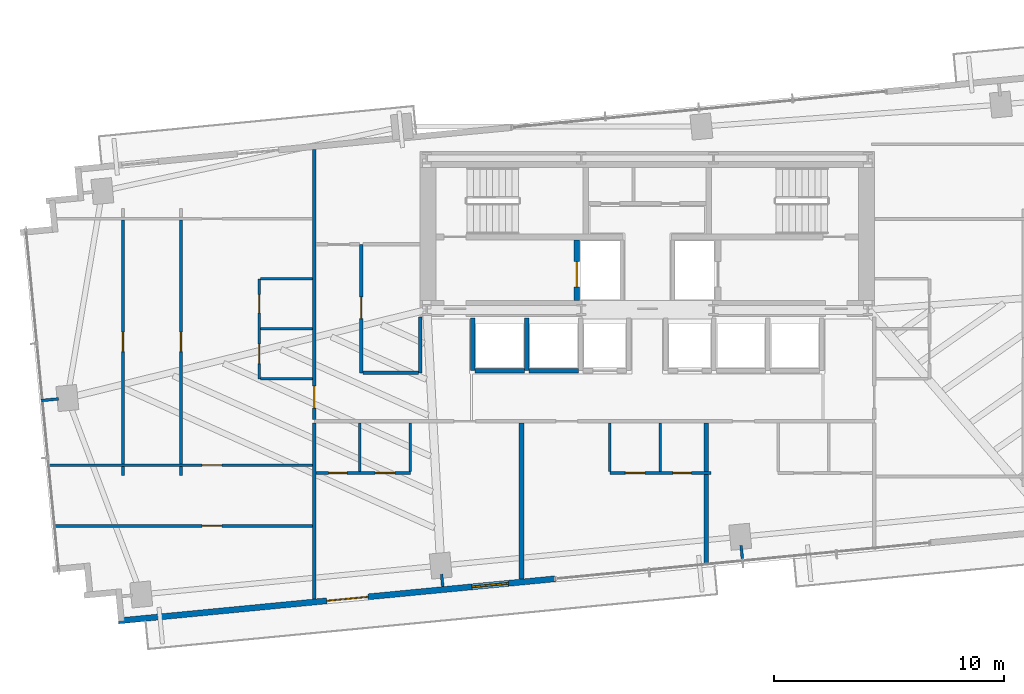
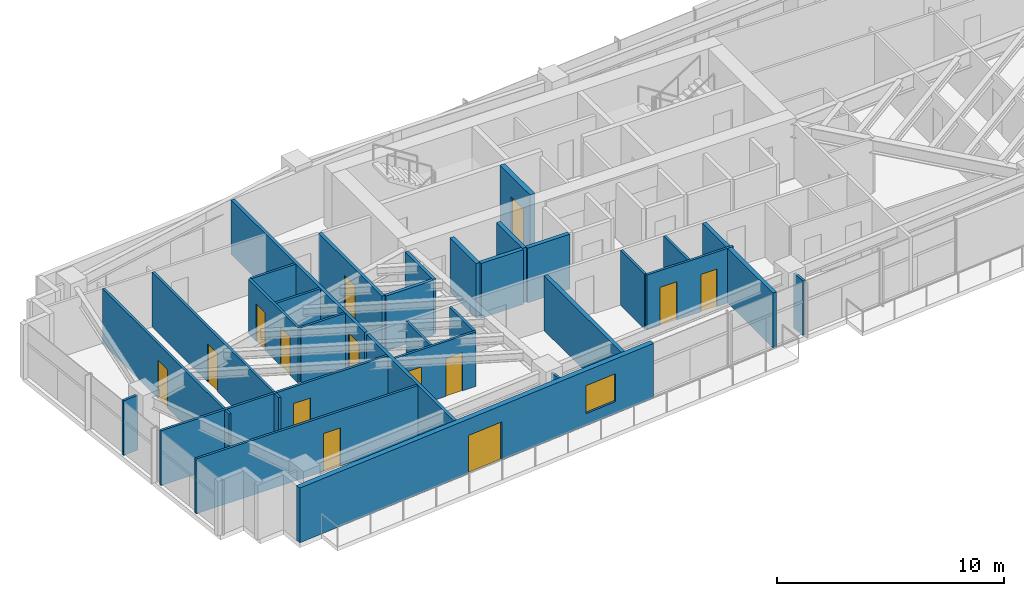
# One storey, part 19 of 25: 33 walls, 14 doors, 1 window, 15 openings.
"""IFC4 building model written with IfcOpenShell, lengths in metres."""

from ifc_helpers import new_model, si_unit, direction, frame, frame_2d, origin, place, context, subcontext, project, spatial, rectangle, extrude, source, transform, mapped, material, layer, layer_set, type_object, type_shapes, element, fill, save


model = new_model("IFC4")

# Units and contexts
model_context = context("Model", 3, precision=1e-05, world=origin(), true_north=direction((0.0, 1.0)))
body_context = subcontext(model_context, "Body", "Model", "MODEL_VIEW")
ifc_project = project(units=[si_unit("LENGTHUNIT", "METRE"), si_unit("AREAUNIT", "SQUARE_METRE"), si_unit("VOLUMEUNIT", "CUBIC_METRE"), si_unit("PLANEANGLEUNIT", "RADIAN"), si_unit("MASSUNIT", "GRAM", prefix="KILO")], contexts=[model_context])

# Site, building, storey
site_placement = place(None, origin())
site = spatial("IfcSite", under=ifc_project, at=site_placement, CompositionType="ELEMENT")
building_placement = place(site_placement, origin())
building = spatial("IfcBuilding", under=site, at=building_placement, Name="Astriad Promenade Condominiums", CompositionType="ELEMENT")
storey_placement = place(building_placement, frame((0.0, 0.0, 100.199951171875)))
storey = spatial("IfcBuildingStorey", under=building, at=storey_placement, Name="L28", CompositionType="ELEMENT", Elevation=100.199951171875)

# Wall, opening, door
ifc_material_1 = material(Name="Concrete C50/60", Category="concrete")
ifc_layer_1 = layer(ifc_material_1, 0.25)
ifc_layer_set_1 = layer_set([ifc_layer_1], Name="Concrete C50/60")
wall_type_1 = type_object("IfcWallType", Name="WALL-CORE-INT-250", PredefinedType="SOLIDWALL", material=ifc_layer_set_1)
wall_1_placement = place(storey_placement, frame((32.925048828125, 17.802001953125, 0.0), z_axis=(0.0, 0.0, 1.0), x_axis=(0.0, 1.0, 0.0)))
wall_1 = element("IfcWall", 1, at=wall_1_placement, inside=storey, type_object=wall_type_1, Name="CW-FFL1-W-L28", PredefinedType="SOLIDWALL", context=body_context, shape_type="SweptSolid", body=[
    extrude(rectangle(XDim=2.64599609375, YDim=0.25, at=frame_2d((1.322998046875, 0.0))), origin(), (0.0, 0.0, 1.0), 3.199951171875),
])
opening_1_placement = place(wall_1_placement, frame((0.597900390625, 0.0, 0.0)))
opening_1 = element("IfcOpeningElement", 2, at=opening_1_placement, cuts=wall_1, Name="Opening LD-FFL-1122", PredefinedType="OPENING", context=body_context, shape_type="SweptSolid", body=[
    extrude(rectangle(XDim=1.10009765625, YDim=2.080078125, at=frame_2d((0.550048828125, 1.0400390625))), frame((0.0, 0.135009765625, 0.0), z_axis=(0.0, -1.0, 0.0), x_axis=(1.0, 0.0, 0.0)), (0.0, 0.0, 1.0), 0.27001953125),
])
ifc_material_2 = material(Name="Brushed Stainless Steel Fire Elevator Landing Door", Category="steel")
door_type_1 = type_object("IfcDoorType", Name="LD-FFL-1122", OperationType="NOTDEFINED", PredefinedType="DOOR", material=ifc_material_2)
shared_shape_1 = source(origin(), body_context, "Body", "SweptSolid", [
    extrude(rectangle(XDim=1.10009765625, YDim=2.080078125, at=frame_2d((0.550048828125, 1.0400390625))), frame((0.0, 0.02490234375, 0.0), z_axis=(0.0, -1.0, 0.0), x_axis=(1.0, 0.0, 0.0)), (0.0, 0.0, 1.0), 0.050048828125),
])
type_shapes(door_type_1, [shared_shape_1])
door_1_placement = place(opening_1_placement, origin())
door_1 = element("IfcDoor", 3, at=door_1_placement, inside=storey, type_object=door_type_1, Name="Elevator Landing Door FFL-1 (L28)", OperationType="SLIDING_TO_LEFT", OverallHeight=2.080078125, OverallWidth=1.10009765625, PredefinedType="DOOR", context=body_context, shape_type="MappedRepresentation", body=[
    mapped(shared_shape_1, transform((0.0, 0.0, 0.0), scale=1.0)),
])
fill(opening_1, door_1)

# Wall
ifc_material_3 = material(Name="Fire-Rated Gypsum Partition")
ifc_layer_2 = layer(ifc_material_3, 0.159912109375)
ifc_layer_set_2 = layer_set([ifc_layer_2], Name="Fire-Rated Gypsum Partition")
wall_type_2 = type_object("IfcWallType", Name="WALL-CORR-160", PredefinedType="PARTITIONING", material=ifc_layer_set_2)
wall_2_placement = place(storey_placement, frame((21.5, 4.8125, 0.0), z_axis=(0.0, 0.0, 1.0), x_axis=(0.0, 1.0, 0.0)))
element("IfcWall", 4, at=wall_2_placement, inside=storey, type_object=wall_type_2, Name="PT-COR-W-L28", PredefinedType="PARTITIONING", context=body_context, shape_type="SweptSolid", body=[
    extrude(rectangle(XDim=7.655517578125, YDim=0.159912109375, at=frame_2d((3.82763671875, 0.0))), origin(), (0.0, 0.0, 1.0), 2.93994140625),
])

# Wall, opening, door
wall_3_placement = place(storey_placement, frame((21.5, 12.632080078125, 0.0), z_axis=(0.0, 0.0, 1.0), x_axis=(0.0, 1.0, 0.0)))
wall_3 = element("IfcWall", 5, at=wall_3_placement, inside=storey, type_object=wall_type_2, Name="PT-COR-W-L28-S2", PredefinedType="PARTITIONING", context=body_context, shape_type="SweptSolid", body=[
    extrude(rectangle(XDim=11.74658203125, YDim=0.159912109375, at=frame_2d((5.873291015625, 0.0))), origin(), (0.0, 0.0, 1.0), 2.93994140625),
])
opening_2_placement = place(wall_3_placement, frame((0.492919921875, 0.0, 0.0)))
opening_2 = element("IfcOpeningElement", 6, at=opening_2_placement, cuts=wall_3, Name="Opening FD60-APT-095", PredefinedType="OPENING", context=body_context, shape_type="SweptSolid", body=[
    extrude(rectangle(XDim=0.949951171875, YDim=2.06005859375, at=frame_2d((0.47509765625, 1.030029296875))), frame((0.0, 0.08984375, 0.0), z_axis=(0.0, -1.0, 0.0), x_axis=(1.0, 0.0, 0.0)), (0.0, 0.0, 1.0), 0.179931640625),
])
ifc_material_4 = material(Name="Solid-Core Acoustic Timber Residence Entry Door", Category="wood")
door_type_2 = type_object("IfcDoorType", Name="FD60-APT-095", OperationType="NOTDEFINED", PredefinedType="DOOR", material=ifc_material_4)
shared_shape_2 = source(origin(), body_context, "Body", "SweptSolid", [
    extrude(rectangle(XDim=0.949951171875, YDim=2.06005859375, at=frame_2d((0.47509765625, 1.030029296875))), frame((0.0, 0.02490234375, 0.0), z_axis=(0.0, -1.0, 0.0), x_axis=(1.0, 0.0, 0.0)), (0.0, 0.0, 1.0), 0.050048828125),
])
type_shapes(door_type_2, [shared_shape_2])
door_2_placement = place(opening_2_placement, origin())
door_2 = element("IfcDoor", 7, at=door_2_placement, inside=storey, type_object=door_type_2, Name="D-ENT-L28-W1", OperationType="SINGLE_SWING_RIGHT", OverallHeight=2.06005859375, OverallWidth=0.949951171875, PredefinedType="DOOR", context=body_context, shape_type="MappedRepresentation", body=[
    mapped(shared_shape_2, transform((0.0, 0.0, 0.0), scale=1.0)),
])
fill(opening_2, door_2)

wall_4_placement = place(storey_placement, frame((23.550048828125, 14.659912109375, 0.0), z_axis=(0.0, 0.0, 1.0), x_axis=(0.0, 1.0, 0.0)))
wall_4 = element("IfcWall", 8, at=wall_4_placement, inside=storey, type_object=wall_type_2, Name="PT-HK-E-L28", PredefinedType="PARTITIONING", context=body_context, shape_type="SweptSolid", body=[
    extrude(rectangle(XDim=5.590087890625, YDim=0.159912109375, at=frame_2d((2.794921875, 0.0))), origin(), (0.0, 0.0, 1.0), 2.93994140625),
])
opening_3_placement = place(wall_4_placement, frame((2.360107421875, 0.0, 0.0)))
opening_3 = element("IfcOpeningElement", 9, at=opening_3_placement, cuts=wall_4, Name="Opening FD60-APT-095", PredefinedType="OPENING", context=body_context, shape_type="SweptSolid", body=[
    extrude(rectangle(XDim=0.949951171875, YDim=2.06005859375, at=frame_2d((0.47509765625, 1.030029296875))), frame((0.0, 0.08984375, 0.0), z_axis=(0.0, -1.0, 0.0), x_axis=(1.0, 0.0, 0.0)), (0.0, 0.0, 1.0), 0.179931640625),
])
door_3_placement = place(opening_3_placement, origin())
door_3 = element("IfcDoor", 10, at=door_3_placement, inside=storey, type_object=door_type_2, Name="D-HKA-L28", OperationType="SINGLE_SWING_LEFT", OverallHeight=2.06005859375, OverallWidth=0.949951171875, PredefinedType="DOOR", context=body_context, shape_type="MappedRepresentation", body=[
    mapped(shared_shape_2, transform((0.0, 0.0, 0.0), scale=1.0)),
])
fill(opening_3, door_3)

# Walls
wall_5_placement = place(storey_placement, frame((26.1201171875, 14.659912109375, 0.0), z_axis=(0.0, 0.0, 1.0), x_axis=(0.0, 1.0, 0.0)))
element("IfcWall", 11, at=wall_5_placement, inside=storey, type_object=wall_type_2, Name="PT-WSPUR-W-L28", PredefinedType="PARTITIONING", context=body_context, shape_type="SweptSolid", body=[
    extrude(rectangle(XDim=2.43798828125, YDim=0.159912109375, at=frame_2d((1.218994140625, 0.0))), origin(), (0.0, 0.0, 1.0), 2.93994140625),
])
wall_6_placement = place(storey_placement, frame((23.632080078125, 14.659912109375, 0.0), z_axis=(0.0, 0.0, 1.0), x_axis=(1.0, 0.0, 0.0)))
element("IfcWall", 12, at=wall_6_placement, inside=storey, type_object=wall_type_2, Name="PT-HK-S-L28", PredefinedType="PARTITIONING", context=body_context, shape_type="SweptSolid", body=[
    extrude(rectangle(XDim=2.406005859375, YDim=0.159912109375, at=frame_2d((1.203125, 0.0))), origin(), (0.0, 0.0, 1.0), 2.93994140625),
])
ifc_material_5 = material(Name="Acoustic Double-Stud Gypsum Partition")
ifc_layer_3 = layer(ifc_material_5, 0.199951171875)
ifc_layer_set_3 = layer_set([ifc_layer_3], Name="Acoustic Double-Stud Gypsum Partition")
wall_type_3 = type_object("IfcWallType", Name="WALL-DEMISING-200", PredefinedType="PARTITIONING", material=ifc_layer_set_3)
wall_7_placement = place(storey_placement, frame((30.52099609375, 5.68115234375, 0.0), z_axis=(0.0, 0.0, 1.0), x_axis=(0.0, 1.0, 0.0)))
element("IfcWall", 13, at=wall_7_placement, inside=storey, type_object=wall_type_3, Name="PT-DEM-S1-L28", PredefinedType="PARTITIONING", context=body_context, shape_type="SweptSolid", body=[
    extrude(rectangle(XDim=6.786865234375, YDim=0.199951171875, at=frame_2d((3.3935546875, 0.0))), origin(), (0.0, 0.0, 1.0), 2.93994140625),
])
wall_8_placement = place(storey_placement, frame((38.56591796875, 6.27294921875, 0.0), z_axis=(0.0, 0.0, 1.0), x_axis=(0.0, 1.0, 0.0)))
element("IfcWall", 14, at=wall_8_placement, inside=storey, type_object=wall_type_3, Name="PT-DEM-S2-L28", PredefinedType="PARTITIONING", context=body_context, shape_type="SweptSolid", body=[
    extrude(rectangle(XDim=3.965087890625, YDim=0.199951171875, at=frame_2d((1.982421875, 0.0))), origin(), (0.0, 0.0, 1.0), 2.93994140625),
])
wall_9_placement = place(storey_placement, frame((38.56591796875, 10.362060546875, 0.0), z_axis=(0.0, 0.0, 1.0), x_axis=(0.0, 1.0, 0.0)))
element("IfcWall", 15, at=wall_9_placement, inside=storey, type_object=wall_type_3, Name="PT-DEM-S2-L28-S2", PredefinedType="PARTITIONING", context=body_context, shape_type="SweptSolid", body=[
    extrude(rectangle(XDim=2.10595703125, YDim=0.199951171875, at=frame_2d((1.052978515625, 0.0))), origin(), (0.0, 0.0, 1.0), 2.93994140625),
])

# Wall, openings, door, window
ifc_material_6 = material(Name="Precast concrete C50/60", Category="concrete")
ifc_layer_4 = layer(ifc_material_6, 0.260009765625)
ifc_layer_set_4 = layer_set([ifc_layer_4], Name="Precast concrete C50/60")
wall_type_4 = type_object("IfcWallType", Name="WALL-EXT-TWR-260", PredefinedType="STANDARD", material=ifc_layer_set_4)
wall_10_placement = place(storey_placement, frame((31.99365234375, 5.6904296875, 0.0), z_axis=(0.0, 0.0, 1.0), x_axis=(-0.995396521236, -0.095842399342, 0.0)))
wall_10 = element("IfcWall", 16, at=wall_10_placement, inside=storey, type_object=wall_type_4, Name="W-EXT-L28-S2", PredefinedType="STANDARD", context=body_context, shape_type="SweptSolid", body=[
    extrude(rectangle(XDim=19.10986328125, YDim=0.260009765625, at=frame_2d((9.554931640625, 0.0))), origin(), (0.0, 0.0, 1.0), 2.93994140625),
])
opening_4_placement = place(wall_10_placement, frame((8.18994140625, 0.0, 0.0)))
opening_4 = element("IfcOpeningElement", 17, at=opening_4_placement, cuts=wall_10, Name="Opening BD-1822-SLD", PredefinedType="OPENING", context=body_context, shape_type="SweptSolid", body=[
    extrude(rectangle(XDim=1.800048828125, YDim=2.06005859375, at=frame_2d((0.89990234375, 1.030029296875))), frame((0.0, 0.139892578125, 0.0), z_axis=(0.0, -1.0, 0.0), x_axis=(1.0, 0.0, 0.0)), (0.0, 0.0, 1.0), 0.280029296875),
])
opening_5_placement = place(wall_10_placement, frame((2.050048828125, 0.0, 0.64990234375)))
opening_5 = element("IfcOpeningElement", 18, at=opening_5_placement, cuts=wall_10, Name="Opening WIN-TWR-1620", PredefinedType="OPENING", context=body_context, shape_type="SweptSolid", body=[
    extrude(rectangle(XDim=1.60009765625, YDim=1.5, at=frame_2d((0.800048828125, 0.75))), frame((0.0, 0.139892578125, 0.0), z_axis=(0.0, -1.0, 0.0), x_axis=(1.0, 0.0, 0.0)), (0.0, 0.0, 1.0), 0.280029296875),
])
ifc_material_7 = material(Name="Thermally Broken Aluminium Sliding Balcony Door", Category="aluminium")
door_type_3 = type_object("IfcDoorType", Name="BD-1822-SLD", OperationType="NOTDEFINED", PredefinedType="DOOR", material=ifc_material_7)
shared_shape_3 = source(origin(), body_context, "Body", "SweptSolid", [
    extrude(rectangle(XDim=1.800048828125, YDim=2.06005859375, at=frame_2d((0.89990234375, 1.030029296875))), frame((0.0, 0.02490234375, 0.0), z_axis=(0.0, -1.0, 0.0), x_axis=(1.0, 0.0, 0.0)), (0.0, 0.0, 1.0), 0.050048828125),
])
type_shapes(door_type_3, [shared_shape_3])
door_4_placement = place(opening_4_placement, origin())
door_4 = element("IfcDoor", 19, at=door_4_placement, inside=storey, type_object=door_type_3, Name="BD-L28-SW", OperationType="SLIDING_TO_LEFT", OverallHeight=2.06005859375, OverallWidth=1.800048828125, PredefinedType="DOOR", context=body_context, shape_type="MappedRepresentation", body=[
    mapped(shared_shape_3, transform((0.0, 0.0, 0.0), scale=1.0)),
])
fill(opening_4, door_4)
ifc_material_8 = material(Name="Dark Tinted Triple-Glazed Aluminium Window", Category="aluminium")
window_type = type_object("IfcWindowType", Name="WIN-TWR-1620", PartitioningType="SINGLE_PANEL", PredefinedType="WINDOW", material=ifc_material_8)
shared_shape_4 = source(origin(), body_context, "Body", "SweptSolid", [
    extrude(rectangle(XDim=1.60009765625, YDim=1.5, at=frame_2d((0.800048828125, 0.75))), frame((0.0, 0.030029296875, 0.0), z_axis=(0.0, -1.0, 0.0), x_axis=(1.0, 0.0, 0.0)), (0.0, 0.0, 1.0), 0.06005859375),
])
type_shapes(window_type, [shared_shape_4])
window_placement = place(opening_5_placement, origin())
window = element("IfcWindow", 20, at=window_placement, inside=storey, type_object=window_type, Name="WIN-L28-SW", OverallHeight=1.5, OverallWidth=1.60009765625, PartitioningType="SINGLE_PANEL", PredefinedType="WINDOW", context=body_context, shape_type="MappedRepresentation", body=[
    mapped(shared_shape_4, transform((0.0, 0.0, 0.0), scale=1.0)),
])
fill(opening_5, window)

# Wall, openings, doors
ifc_material_9 = material(Name="Acoustic Metal-Stud Gypsum Partition")
ifc_layer_5 = layer(ifc_material_9, 0.1201171875)
ifc_layer_set_5 = layer_set([ifc_layer_5], Name="Acoustic Metal-Stud Gypsum Partition")
wall_type_5 = type_object("IfcWallType", Name="WALL-PART-120", PredefinedType="PARTITIONING", material=ifc_layer_set_5)
wall_11_placement = place(storey_placement, frame((21.58203125, 10.300048828125, 0.0), z_axis=(0.0, 0.0, 1.0), x_axis=(1.0, 0.0, 0.0)))
wall_11 = element("IfcWall", 21, at=wall_11_placement, inside=storey, type_object=wall_type_5, Name="PT-L28-S1-PS", PredefinedType="PARTITIONING", context=body_context, shape_type="SweptSolid", body=[
    extrude(rectangle(XDim=4.097900390625, YDim=0.1201171875, at=frame_2d((2.048828125, 0.0))), origin(), (0.0, 0.0, 1.0), 2.93994140625),
])
opening_6_placement = place(wall_11_placement, frame((0.548095703125, 0.0, 0.0)))
opening_6 = element("IfcOpeningElement", 22, at=opening_6_placement, cuts=wall_11, Name="Opening D-WET-080", PredefinedType="OPENING", context=body_context, shape_type="SweptSolid", body=[
    extrude(rectangle(XDim=0.800048828125, YDim=2.02001953125, at=frame_2d((0.39990234375, 1.010009765625))), frame((0.0, 0.070068359375, 0.0), z_axis=(0.0, -1.0, 0.0), x_axis=(1.0, 0.0, 0.0)), (0.0, 0.0, 1.0), 0.14013671875),
])
opening_7_placement = place(wall_11_placement, frame((2.572998046875, 0.0, 0.0)))
opening_7 = element("IfcOpeningElement", 23, at=opening_7_placement, cuts=wall_11, Name="Opening D-INT-085", PredefinedType="OPENING", context=body_context, shape_type="SweptSolid", body=[
    extrude(rectangle(XDim=0.85009765625, YDim=2.050048828125, at=frame_2d((0.425048828125, 1.02490234375))), frame((0.0, 0.070068359375, 0.0), z_axis=(0.0, -1.0, 0.0), x_axis=(1.0, 0.0, 0.0)), (0.0, 0.0, 1.0), 0.14013671875),
])
ifc_material_10 = material(Name="Moisture-Resistant Timber Bathroom Door", Category="wood")
door_type_4 = type_object("IfcDoorType", Name="D-WET-080", OperationType="NOTDEFINED", PredefinedType="DOOR", material=ifc_material_10)
shared_shape_5 = source(origin(), body_context, "Body", "SweptSolid", [
    extrude(rectangle(XDim=0.800048828125, YDim=2.02001953125, at=frame_2d((0.39990234375, 1.010009765625))), frame((0.0, 0.02490234375, 0.0), z_axis=(0.0, -1.0, 0.0), x_axis=(1.0, 0.0, 0.0)), (0.0, 0.0, 1.0), 0.050048828125),
])
type_shapes(door_type_4, [shared_shape_5])
door_5_placement = place(opening_6_placement, origin())
door_5 = element("IfcDoor", 24, at=door_5_placement, inside=storey, type_object=door_type_4, Name="D-BTH-L28-S1", OperationType="SINGLE_SWING_RIGHT", OverallHeight=2.02001953125, OverallWidth=0.800048828125, PredefinedType="DOOR", context=body_context, shape_type="MappedRepresentation", body=[
    mapped(shared_shape_5, transform((0.0, 0.0, 0.0), scale=1.0)),
])
fill(opening_6, door_5)
ifc_material_11 = material(Name="Painted Solid-Core Timber Room Door", Category="wood")
door_type_5 = type_object("IfcDoorType", Name="D-INT-085", OperationType="NOTDEFINED", PredefinedType="DOOR", material=ifc_material_11)
shared_shape_6 = source(origin(), body_context, "Body", "SweptSolid", [
    extrude(rectangle(XDim=0.85009765625, YDim=2.050048828125, at=frame_2d((0.425048828125, 1.02490234375))), frame((0.0, 0.02490234375, 0.0), z_axis=(0.0, -1.0, 0.0), x_axis=(1.0, 0.0, 0.0)), (0.0, 0.0, 1.0), 0.050048828125),
])
type_shapes(door_type_5, [shared_shape_6])
door_6_placement = place(opening_7_placement, origin())
door_6 = element("IfcDoor", 25, at=door_6_placement, inside=storey, type_object=door_type_5, Name="D-KIT-L28-S1", OperationType="SINGLE_SWING_LEFT", OverallHeight=2.050048828125, OverallWidth=0.85009765625, PredefinedType="DOOR", context=body_context, shape_type="MappedRepresentation", body=[
    mapped(shared_shape_6, transform((0.0, 0.0, 0.0), scale=1.0)),
])
fill(opening_7, door_6)

# Walls
for number, where, z_axis, x_axis, name in (
    (26, (25.679931640625, 10.362060546875, 0.0), (0.0, 0.0, 1.0), (0.0, 1.0, 0.0), "PT-L28-S1-PK"),
    (27, (23.47998046875, 10.362060546875, 0.0), (0.0, 0.0, 1.0), (0.0, 1.0, 0.0), "PT-L28-S1-PB"),
):
    element("IfcWall", number, at=place(storey_placement, frame(where, z_axis=z_axis, x_axis=x_axis)), inside=storey, type_object=wall_type_5, Name=name, PredefinedType="PARTITIONING", context=body_context, shape_type="SweptSolid", body=[
        extrude(rectangle(XDim=2.10595703125, YDim=0.1201171875, at=frame_2d((1.052978515625, 0.0))), origin(), (0.0, 0.0, 1.0), 2.93994140625),
    ])

# Wall, openings, doors
wall_12_placement = place(storey_placement, frame((34.365966796875, 10.300048828125, 0.0), z_axis=(0.0, 0.0, 1.0), x_axis=(1.0, 0.0, 0.0)))
wall_12 = element("IfcWall", 28, at=wall_12_placement, inside=storey, type_object=wall_type_5, Name="PT-L28-S2-PS", PredefinedType="PARTITIONING", context=body_context, shape_type="SweptSolid", body=[
    extrude(rectangle(XDim=4.400146484375, YDim=0.1201171875, at=frame_2d((2.2001953125, 0.0))), origin(), (0.0, 0.0, 1.0), 2.93994140625),
])
opening_8_placement = place(wall_12_placement, frame((0.675048828125, 0.0, 0.0)))
opening_8 = element("IfcOpeningElement", 29, at=opening_8_placement, cuts=wall_12, Name="Opening D-INT-085", PredefinedType="OPENING", context=body_context, shape_type="SweptSolid", body=[
    extrude(rectangle(XDim=0.85009765625, YDim=2.050048828125, at=frame_2d((0.425048828125, 1.02490234375))), frame((0.0, 0.070068359375, 0.0), z_axis=(0.0, -1.0, 0.0), x_axis=(1.0, 0.0, 0.0)), (0.0, 0.0, 1.0), 0.14013671875),
])
opening_9_placement = place(wall_12_placement, frame((2.75, 0.0, 0.0)))
opening_9 = element("IfcOpeningElement", 30, at=opening_9_placement, cuts=wall_12, Name="Opening D-WET-080", PredefinedType="OPENING", context=body_context, shape_type="SweptSolid", body=[
    extrude(rectangle(XDim=0.800048828125, YDim=2.02001953125, at=frame_2d((0.39990234375, 1.010009765625))), frame((0.0, 0.070068359375, 0.0), z_axis=(0.0, -1.0, 0.0), x_axis=(1.0, 0.0, 0.0)), (0.0, 0.0, 1.0), 0.14013671875),
])
door_7_placement = place(opening_9_placement, origin())
door_7 = element("IfcDoor", 31, at=door_7_placement, inside=storey, type_object=door_type_4, Name="D-BTH-L28-S2", OperationType="SINGLE_SWING_RIGHT", OverallHeight=2.02001953125, OverallWidth=0.800048828125, PredefinedType="DOOR", context=body_context, shape_type="MappedRepresentation", body=[
    mapped(shared_shape_5, transform((0.0, 0.0, 0.0), scale=1.0)),
])
fill(opening_9, door_7)
door_8_placement = place(opening_8_placement, origin())
door_8 = element("IfcDoor", 32, at=door_8_placement, inside=storey, type_object=door_type_5, Name="D-KIT-L28-S2", OperationType="SINGLE_SWING_LEFT", OverallHeight=2.050048828125, OverallWidth=0.85009765625, PredefinedType="DOOR", context=body_context, shape_type="MappedRepresentation", body=[
    mapped(shared_shape_6, transform((0.0, 0.0, 0.0), scale=1.0)),
])
fill(opening_8, door_8)

# Walls
for number, where, z_axis, x_axis, name in (
    (33, (34.365966796875, 10.362060546875, 0.0), (0.0, 0.0, 1.0), (0.0, 1.0, 0.0), "PT-L28-S2-PK"),
    (34, (36.56591796875, 10.362060546875, 0.0), (0.0, 0.0, 1.0), (0.0, 1.0, 0.0), "PT-L28-S2-PB"),
):
    element("IfcWall", number, at=place(storey_placement, frame(where, z_axis=z_axis, x_axis=x_axis)), inside=storey, type_object=wall_type_5, Name=name, PredefinedType="PARTITIONING", context=body_context, shape_type="SweptSolid", body=[
        extrude(rectangle(XDim=2.10595703125, YDim=0.1201171875, at=frame_2d((1.052978515625, 0.0))), origin(), (0.0, 0.0, 1.0), 2.93994140625),
    ])

# Wall, openings, doors
wall_13_placement = place(storey_placement, frame((19.10009765625, 14.39990234375, 0.0), z_axis=(0.0, 0.0, 1.0), x_axis=(0.0, 1.0, 0.0)))
wall_13 = element("IfcWall", 35, at=wall_13_placement, inside=storey, type_object=wall_type_5, Name="PT-L28-W1-PV", PredefinedType="PARTITIONING", context=body_context, shape_type="SweptSolid", body=[
    extrude(rectangle(XDim=4.35009765625, YDim=0.1201171875, at=frame_2d((2.175048828125, 0.0))), origin(), (0.0, 0.0, 1.0), 2.93994140625),
])
opening_10_placement = place(wall_13_placement, frame((0.6630859375, 0.0, 0.0)))
opening_10 = element("IfcOpeningElement", 36, at=opening_10_placement, cuts=wall_13, Name="Opening D-INT-085", PredefinedType="OPENING", context=body_context, shape_type="SweptSolid", body=[
    extrude(rectangle(XDim=0.85009765625, YDim=2.050048828125, at=frame_2d((0.425048828125, 1.02490234375))), frame((0.0, 0.070068359375, 0.0), z_axis=(0.0, -1.0, 0.0), x_axis=(1.0, 0.0, 0.0)), (0.0, 0.0, 1.0), 0.14013671875),
])
opening_11_placement = place(wall_13_placement, frame((2.863037109375, 0.0, 0.0)))
opening_11 = element("IfcOpeningElement", 37, at=opening_11_placement, cuts=wall_13, Name="Opening D-WET-080", PredefinedType="OPENING", context=body_context, shape_type="SweptSolid", body=[
    extrude(rectangle(XDim=0.800048828125, YDim=2.02001953125, at=frame_2d((0.39990234375, 1.010009765625))), frame((0.0, 0.070068359375, 0.0), z_axis=(0.0, -1.0, 0.0), x_axis=(1.0, 0.0, 0.0)), (0.0, 0.0, 1.0), 0.14013671875),
])
door_9_placement = place(opening_11_placement, origin())
door_9 = element("IfcDoor", 38, at=door_9_placement, inside=storey, type_object=door_type_4, Name="D-BTH-L28-W1", OperationType="SINGLE_SWING_RIGHT", OverallHeight=2.02001953125, OverallWidth=0.800048828125, PredefinedType="DOOR", context=body_context, shape_type="MappedRepresentation", body=[
    mapped(shared_shape_5, transform((0.0, 0.0, 0.0), scale=1.0)),
])
fill(opening_11, door_9)
door_10_placement = place(opening_10_placement, origin())
door_10 = element("IfcDoor", 39, at=door_10_placement, inside=storey, type_object=door_type_5, Name="D-KIT-L28-W1", OperationType="SINGLE_SWING_LEFT", OverallHeight=2.050048828125, OverallWidth=0.85009765625, PredefinedType="DOOR", context=body_context, shape_type="MappedRepresentation", body=[
    mapped(shared_shape_6, transform((0.0, 0.0, 0.0), scale=1.0)),
])
fill(opening_10, door_10)

# Walls
for number, where, z_axis, x_axis, name in (
    (40, (19.162109375, 16.574951171875, 0.0), (0.0, 0.0, 1.0), (1.0, 0.0, 0.0), "PT-L28-W1-PM"),
    (41, (19.162109375, 14.39990234375, 0.0), (0.0, 0.0, 1.0), (1.0, 0.0, 0.0), "PT-L28-W1-PS"),
    (42, (19.162109375, 18.75, 0.0), (0.0, 0.0, 1.0), (1.0, 0.0, 0.0), "PT-L28-W1-PN"),
):
    element("IfcWall", number, at=place(storey_placement, frame(where, z_axis=z_axis, x_axis=x_axis)), inside=storey, type_object=wall_type_5, Name=name, PredefinedType="PARTITIONING", context=body_context, shape_type="SweptSolid", body=[
        extrude(rectangle(XDim=2.255859375, YDim=0.1201171875, at=frame_2d((1.1279296875, 0.0))), origin(), (0.0, 0.0, 1.0), 2.93994140625),
    ])

# Wall, opening, door
wall_14_placement = place(storey_placement, frame((10.14208984375, 7.9951171875, 0.0), z_axis=(0.0, 0.0, 1.0), x_axis=(1.0, 0.0, 0.0)))
wall_14 = element("IfcWall", 43, at=wall_14_placement, inside=storey, type_object=wall_type_5, Name="PT-L28-W1-WDS1", PredefinedType="PARTITIONING", context=body_context, shape_type="SweptSolid", body=[
    extrude(rectangle(XDim=11.27587890625, YDim=0.1201171875, at=frame_2d((5.637939453125, 0.0))), origin(), (0.0, 0.0, 1.0), 2.93994140625),
])
opening_12_placement = place(wall_14_placement, frame((6.480712890625, 0.0, 0.0)))
opening_12 = element("IfcOpeningElement", 44, at=opening_12_placement, cuts=wall_14, Name="Opening D-INT-085", PredefinedType="OPENING", context=body_context, shape_type="SweptSolid", body=[
    extrude(rectangle(XDim=0.85009765625, YDim=2.050048828125, at=frame_2d((0.425048828125, 1.02490234375))), frame((0.0, 0.070068359375, 0.0), z_axis=(0.0, -1.0, 0.0), x_axis=(1.0, 0.0, 0.0)), (0.0, 0.0, 1.0), 0.14013671875),
])
door_11_placement = place(opening_12_placement, origin())
door_11 = element("IfcDoor", 45, at=door_11_placement, inside=storey, type_object=door_type_5, Name="D-WDS1-L28-W1", OperationType="SINGLE_SWING_LEFT", OverallHeight=2.050048828125, OverallWidth=0.85009765625, PredefinedType="DOOR", context=body_context, shape_type="MappedRepresentation", body=[
    mapped(shared_shape_6, transform((0.0, 0.0, 0.0), scale=1.0)),
])
fill(opening_12, door_11)

wall_15_placement = place(storey_placement, frame((9.8876953125, 10.636962890625, 0.0), z_axis=(0.0, 0.0, 1.0), x_axis=(1.0, 0.0, 0.0)))
wall_15 = element("IfcWall", 46, at=wall_15_placement, inside=storey, type_object=wall_type_5, Name="PT-L28-W1-WDS3", PredefinedType="PARTITIONING", context=body_context, shape_type="SweptSolid", body=[
    extrude(rectangle(XDim=11.5302734375, YDim=0.1201171875, at=frame_2d((5.76513671875, 0.0))), origin(), (0.0, 0.0, 1.0), 2.93994140625),
])
opening_13_placement = place(wall_15_placement, frame((6.735107421875, 0.0, 0.0)))
opening_13 = element("IfcOpeningElement", 47, at=opening_13_placement, cuts=wall_15, Name="Opening D-INT-085", PredefinedType="OPENING", context=body_context, shape_type="SweptSolid", body=[
    extrude(rectangle(XDim=0.85009765625, YDim=2.050048828125, at=frame_2d((0.425048828125, 1.02490234375))), frame((0.0, 0.070068359375, 0.0), z_axis=(0.0, -1.0, 0.0), x_axis=(1.0, 0.0, 0.0)), (0.0, 0.0, 1.0), 0.14013671875),
])
door_12_placement = place(opening_13_placement, origin())
door_12 = element("IfcDoor", 48, at=door_12_placement, inside=storey, type_object=door_type_5, Name="D-WDS3-L28-W1", OperationType="SINGLE_SWING_LEFT", OverallHeight=2.050048828125, OverallWidth=0.85009765625, PredefinedType="DOOR", context=body_context, shape_type="MappedRepresentation", body=[
    mapped(shared_shape_6, transform((0.0, 0.0, 0.0), scale=1.0)),
])
fill(opening_13, door_12)

# Wall
wall_16_placement = place(storey_placement, frame((13.175048828125, 10.197021484375, 0.0), z_axis=(0.0, 0.0, 1.0), x_axis=(0.0, 1.0, 0.0)))
element("IfcWall", 49, at=wall_16_placement, inside=storey, type_object=wall_type_5, Name="PT-L28-W1-WDV4", PredefinedType="PARTITIONING", context=body_context, shape_type="SweptSolid", body=[
    extrude(rectangle(XDim=0.3779296875, YDim=0.1201171875, at=frame_2d((0.18896484375, 0.0))), origin(), (0.0, 0.0, 1.0), 2.93994140625),
])

# Wall, opening, door
wall_17_placement = place(storey_placement, frame((13.175048828125, 10.698974609375, 0.0), z_axis=(0.0, 0.0, 1.0), x_axis=(0.0, 1.0, 0.0)))
wall_17 = element("IfcWall", 50, at=wall_17_placement, inside=storey, type_object=wall_type_5, Name="PT-L28-W1-WDV4-S2", PredefinedType="PARTITIONING", context=body_context, shape_type="SweptSolid", body=[
    extrude(rectangle(XDim=10.610107421875, YDim=0.1201171875, at=frame_2d((5.30517578125, 0.0))), origin(), (0.0, 0.0, 1.0), 2.93994140625),
])
opening_14_placement = place(wall_17_placement, frame((4.8798828125, 0.0, 0.0)))
opening_14 = element("IfcOpeningElement", 51, at=opening_14_placement, cuts=wall_17, Name="Opening D-INT-085", PredefinedType="OPENING", context=body_context, shape_type="SweptSolid", body=[
    extrude(rectangle(XDim=0.85009765625, YDim=2.050048828125, at=frame_2d((0.425048828125, 1.02490234375))), frame((0.0, 0.070068359375, 0.0), z_axis=(0.0, -1.0, 0.0), x_axis=(1.0, 0.0, 0.0)), (0.0, 0.0, 1.0), 0.14013671875),
])
door_13_placement = place(opening_14_placement, origin())
door_13 = element("IfcDoor", 52, at=door_13_placement, inside=storey, type_object=door_type_5, Name="D-WDV4-L28-W1", OperationType="SINGLE_SWING_RIGHT", OverallHeight=2.050048828125, OverallWidth=0.85009765625, PredefinedType="DOOR", context=body_context, shape_type="MappedRepresentation", body=[
    mapped(shared_shape_6, transform((0.0, 0.0, 0.0), scale=1.0)),
])
fill(opening_14, door_13)

# Wall
wall_18_placement = place(storey_placement, frame((15.697998046875, 10.197021484375, 0.0), z_axis=(0.0, 0.0, 1.0), x_axis=(0.0, 1.0, 0.0)))
element("IfcWall", 53, at=wall_18_placement, inside=storey, type_object=wall_type_5, Name="PT-L28-W1-WDV5", PredefinedType="PARTITIONING", context=body_context, shape_type="SweptSolid", body=[
    extrude(rectangle(XDim=0.3779296875, YDim=0.1201171875, at=frame_2d((0.18896484375, 0.0))), origin(), (0.0, 0.0, 1.0), 2.93994140625),
])

# Wall, opening, door
wall_19_placement = place(storey_placement, frame((15.697998046875, 10.698974609375, 0.0), z_axis=(0.0, 0.0, 1.0), x_axis=(0.0, 1.0, 0.0)))
wall_19 = element("IfcWall", 54, at=wall_19_placement, inside=storey, type_object=wall_type_5, Name="PT-L28-W1-WDV5-S2", PredefinedType="PARTITIONING", context=body_context, shape_type="SweptSolid", body=[
    extrude(rectangle(XDim=10.610107421875, YDim=0.1201171875, at=frame_2d((5.30517578125, 0.0))), origin(), (0.0, 0.0, 1.0), 2.93994140625),
])
opening_15_placement = place(wall_19_placement, frame((4.8798828125, 0.0, 0.0)))
opening_15 = element("IfcOpeningElement", 55, at=opening_15_placement, cuts=wall_19, Name="Opening D-INT-085", PredefinedType="OPENING", context=body_context, shape_type="SweptSolid", body=[
    extrude(rectangle(XDim=0.85009765625, YDim=2.050048828125, at=frame_2d((0.425048828125, 1.02490234375))), frame((0.0, 0.070068359375, 0.0), z_axis=(0.0, -1.0, 0.0), x_axis=(1.0, 0.0, 0.0)), (0.0, 0.0, 1.0), 0.14013671875),
])
door_14_placement = place(opening_15_placement, origin())
door_14 = element("IfcDoor", 56, at=door_14_placement, inside=storey, type_object=door_type_5, Name="D-WDV5-L28-W1", OperationType="SINGLE_SWING_LEFT", OverallHeight=2.050048828125, OverallWidth=0.85009765625, PredefinedType="DOOR", context=body_context, shape_type="MappedRepresentation", body=[
    mapped(shared_shape_6, transform((0.0, 0.0, 0.0), scale=1.0)),
])
fill(opening_15, door_14)

# Walls
wall_20_placement = place(storey_placement, frame((27.0419921875, 5.88671875, 0.0), z_axis=(0.0, 0.0, 1.0), x_axis=(0.096222656154, -0.995359834654, 0.0)))
element("IfcWall", 57, at=wall_20_placement, inside=storey, type_object=wall_type_5, Name="PT-PIL-L28-PC02-9", PredefinedType="PARTITIONING", context=body_context, shape_type="SweptSolid", body=[
    extrude(rectangle(XDim=0.537841796875, YDim=0.1201171875, at=frame_2d((0.26904296875, 0.0))), origin(), (0.0, 0.0, 1.0), 2.93994140625),
])
wall_21_placement = place(storey_placement, frame((40.081787109375, 7.142333984375, 0.0), z_axis=(0.0, 0.0, 1.0), x_axis=(0.095944965663, -0.995386640238, 0.0)))
element("IfcWall", 58, at=wall_21_placement, inside=storey, type_object=wall_type_5, Name="PT-PIL-L28-PC03-10", PredefinedType="PARTITIONING", context=body_context, shape_type="SweptSolid", body=[
    extrude(rectangle(XDim=0.72021484375, YDim=0.1201171875, at=frame_2d((0.360107421875, 0.0))), origin(), (0.0, 0.0, 1.0), 2.93994140625),
])
wall_22_placement = place(storey_placement, frame((10.373291015625, 13.5244140625, 0.0), z_axis=(0.0, 0.0, 1.0), x_axis=(-0.995377786728, -0.096036772582, 0.0)))
element("IfcWall", 59, at=wall_22_placement, inside=storey, type_object=wall_type_5, Name="PT-PIL-L28-PC11-18", PredefinedType="PARTITIONING", context=body_context, shape_type="SweptSolid", body=[
    extrude(rectangle(XDim=0.760009765625, YDim=0.1201171875, at=frame_2d((0.3798828125, 0.0))), origin(), (0.0, 0.0, 1.0), 2.93994140625),
])
ifc_material_12 = material(Name="Gypsum Shaftliner Assembly")
ifc_layer_6 = layer(ifc_material_12, 0.199951171875)
ifc_layer_set_6 = layer_set([ifc_layer_6], Name="Gypsum Shaftliner Assembly")
wall_type_6 = type_object("IfcWallType", Name="WALL-SHAFT-200", PredefinedType="PARTITIONING", material=ifc_layer_set_6)
for number, where, z_axis, x_axis, name in (
    (60, (28.39990234375, 14.75, 0.0), (0.0, 0.0, 1.0), (0.0, 1.0, 0.0), "PL-W-OUT-L28"),
    (61, (30.75, 14.75, 0.0), (0.0, 0.0, 1.0), (0.0, 1.0, 0.0), "PL-L-DIV-L28"),
):
    element("IfcWall", number, at=place(storey_placement, frame(where, z_axis=z_axis, x_axis=x_axis)), inside=storey, type_object=wall_type_6, Name=name, PredefinedType="PARTITIONING", context=body_context, shape_type="SweptSolid", body=[
        extrude(rectangle(XDim=2.300048828125, YDim=0.199951171875, at=frame_2d((1.14990234375, 0.0))), origin(), (0.0, 0.0, 1.0), 2.93994140625),
    ])
for number, where, z_axis, x_axis, name in (
    (62, (28.501953125, 14.75, 0.0), (0.0, 0.0, 1.0), (1.0, 0.0, 0.0), "PL-L-FRT-L28"),
    (63, (30.85205078125, 14.75, 0.0), (0.0, 0.0, 1.0), (1.0, 0.0, 0.0), "PL-L-FRT-L28-S2"),
):
    element("IfcWall", number, at=place(storey_placement, frame(where, z_axis=z_axis, x_axis=x_axis)), inside=storey, type_object=wall_type_6, Name=name, PredefinedType="PARTITIONING", context=body_context, shape_type="SweptSolid", body=[
        extrude(rectangle(XDim=2.14599609375, YDim=0.199951171875, at=frame_2d((1.072998046875, 0.0))), origin(), (0.0, 0.0, 1.0), 2.93994140625),
    ])

save(model, "model.ifc")
